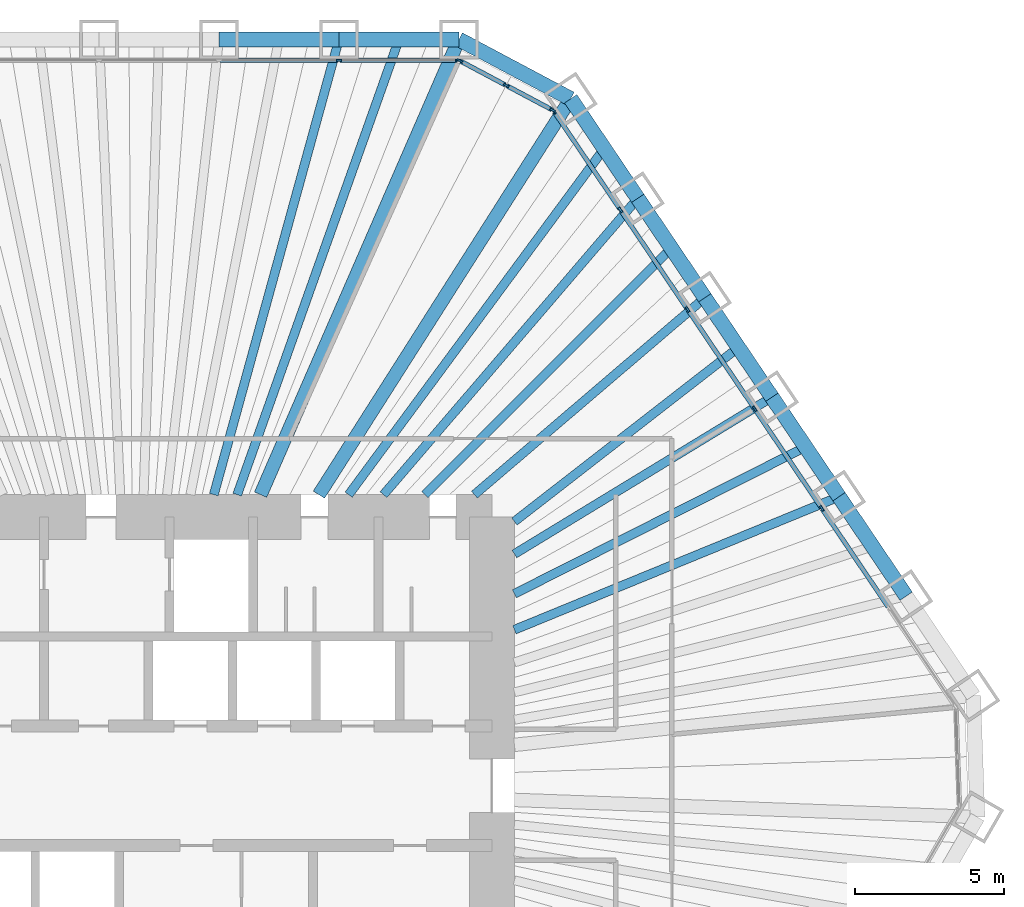
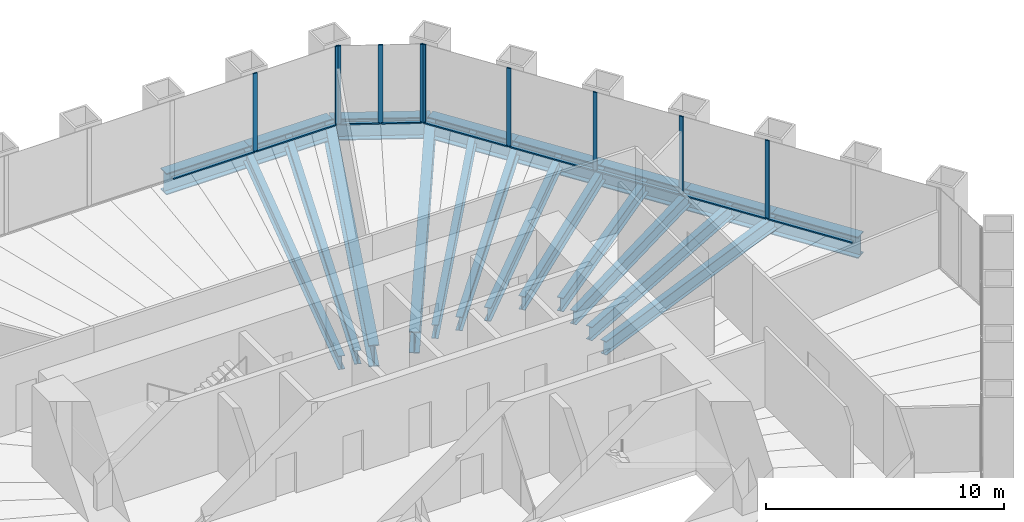
# One storey, part 7 of 13: 20 beams, 19 members, 3 elements without a shape of their own.
"""IFC4 building model written with IfcOpenShell, lengths in metres."""

import ifcopenshell
import ifcopenshell.guid

model = None  # the IFC model being written
_history = None  # IfcOwnerHistory: only IFC2X3 demands one
_inside = {}  # id of a spatial element -> (the spatial element, [elements in it])
_under = {}  # id of a project, library or spatial element -> (it, [spatial elements below it])
_declared = {}  # id of a project -> (the project, [libraries it declares])
_typed = {}  # id of a type object -> (the type object, [elements of that type])
_made_of = {}  # id of a material, layer set ... -> (it, [elements and type objects made of it])


def new_model(schema):
    """Start an empty IFC model of exactly this schema.

    Asked for "IFC4X3", IfcOpenShell would pick the latest addendum, in which some entities
    have other attributes; the version numbers below select the first issue.
    IFC2X3 requires an IfcOwnerHistory on every rooted entity: one is made here for all.
    """
    global model, _history
    if schema == "IFC4X3":
        model = ifcopenshell.file(schema_version=(4, 3, 0, 0))
    else:
        model = ifcopenshell.file(schema=schema)
    _inside.clear()
    _under.clear()
    _declared.clear()
    _typed.clear()
    _made_of.clear()
    _history = None
    if model.schema == "IFC2X3":
        org = make("IfcOrganization", Name="unknown")
        user = make(
            "IfcPersonAndOrganization",
            ThePerson=make("IfcPerson", FamilyName="unknown"),
            TheOrganization=org,
        )
        app = make(
            "IfcApplication",
            ApplicationDeveloper=org,
            Version="unknown",
            ApplicationFullName="unknown",
            ApplicationIdentifier="unknown",
        )
        _history = make(
            "IfcOwnerHistory",
            OwningUser=user,
            OwningApplication=app,
            ChangeAction="ADDED",
            CreationDate=0,
        )
    return model


def make(cls, **values):
    """One entity of the class cls with the attributes given. An attribute that is None is left unset."""
    return model.create_entity(
        cls, **{name: value for name, value in values.items() if value is not None}
    )


def rooted(cls, **values):
    """An entity with a GlobalId (a new one), such as an element, a storey or a relation."""
    return make(cls, GlobalId=ifcopenshell.guid.new(), OwnerHistory=_history, **values)


def si_unit(unit_type, name, prefix=None):
    """IfcSIUnit, for example si_unit("LENGTHUNIT", "METRE", prefix="MILLI")."""
    return make("IfcSIUnit", UnitType=unit_type, Prefix=prefix, Name=name)


def assignment(units):
    """IfcUnitAssignment: the units of a project."""
    return None if units is None else make("IfcUnitAssignment", Units=units)


def point(xyz):
    """IfcCartesianPoint."""
    return None if xyz is None else make("IfcCartesianPoint", Coordinates=xyz)


def direction(xyz):
    """IfcDirection."""
    return None if xyz is None else make("IfcDirection", DirectionRatios=xyz)


def frame(location, z_axis=None, x_axis=None):
    """IfcAxis2Placement3D, a coordinate frame: its origin and axes. An axis left out is left unset."""
    return make(
        "IfcAxis2Placement3D",
        Location=point(location),
        Axis=direction(z_axis),
        RefDirection=direction(x_axis),
    )


def frame_2d(location, x_axis=None):
    """IfcAxis2Placement2D, a coordinate frame in the plane: its origin and x axis."""
    return make(
        "IfcAxis2Placement2D", Location=point(location), RefDirection=direction(x_axis)
    )


def origin():
    """The frame at (0, 0, 0) with its axes left unset."""
    return frame((0.0, 0.0, 0.0))


def origin_2d():
    """The frame at (0, 0) in the plane with its x axis left unset."""
    return frame_2d((0.0, 0.0))


def place(relative_to, where):
    """IfcLocalPlacement: puts the frame where relative to a parent placement (None: the world)."""
    return make(
        "IfcLocalPlacement", PlacementRelTo=relative_to, RelativePlacement=where
    )


def context(
    kind, dimensions, precision=None, world=None, true_north=None, identifier=None
):
    """IfcGeometricRepresentationContext, for example the 3D "Model" context."""
    return make(
        "IfcGeometricRepresentationContext",
        ContextIdentifier=identifier,
        ContextType=kind,
        CoordinateSpaceDimension=dimensions,
        Precision=precision,
        WorldCoordinateSystem=world,
        TrueNorth=true_north,
    )


def subcontext(parent, identifier, kind, view, scale=None):
    """IfcGeometricRepresentationSubContext, for example "Body" below "Model"."""
    return make(
        "IfcGeometricRepresentationSubContext",
        ContextIdentifier=identifier,
        ContextType=kind,
        ParentContext=parent,
        TargetScale=scale,
        TargetView=view,
    )


def project(units=None, contexts=None):
    """IfcProject with its units and contexts."""
    return rooted(
        "IfcProject",
        Name="project",
        RepresentationContexts=contexts,
        UnitsInContext=assignment(units),
    )


def spatial(cls, under=None, at=None, **own):
    """A site, building, storey or space (cls), placed at a placement, below another one or the project."""
    s = rooted(cls, ObjectPlacement=at, **own)
    if under is not None:
        _under.setdefault(under.id(), (under, []))[1].append(s)
    return s


def profile(cls, at=None, kind="AREA", **sizes):
    """A parametric profile (cls). Its sizes go by their IFC names, for example OverallWidth=200.0."""
    return make(cls, ProfileType=kind, Position=at, **sizes)


def rectangle(**sizes):
    """IfcRectangleProfileDef."""
    return profile("IfcRectangleProfileDef", **sizes)


def i_section(**sizes):
    """IfcIShapeProfileDef."""
    return profile("IfcIShapeProfileDef", **sizes)


def extrude(swept, where, along, depth):
    """IfcExtrudedAreaSolid: the profile swept, set in the frame where, extruded along a direction by depth."""
    return make(
        "IfcExtrudedAreaSolid",
        SweptArea=swept,
        Position=where,
        ExtrudedDirection=direction(along),
        Depth=depth,
    )


def shape(context_of_items, identifier, shape_type, items):
    """IfcShapeRepresentation: the items that make up one representation, for example the "Body"."""
    return make(
        "IfcShapeRepresentation",
        ContextOfItems=context_of_items,
        RepresentationIdentifier=identifier,
        RepresentationType=shape_type,
        Items=items,
    )


def material(Name=None, Category=None):
    """IfcMaterial."""
    return make("IfcMaterial", Name=Name, Category=Category)


def material_profile(
    of_material, cross_section, Name=None, Category=None, Priority=None
):
    """IfcMaterialProfile: a cross section and its material."""
    return make(
        "IfcMaterialProfile",
        Name=Name,
        Material=of_material,
        Profile=cross_section,
        Priority=Priority,
        Category=Category,
    )


def profile_set(profiles, Name=None, composite=None):
    """IfcMaterialProfileSet."""
    return make(
        "IfcMaterialProfileSet",
        Name=Name,
        MaterialProfiles=profiles,
        CompositeProfile=composite,
    )


def made_of(thing, what):
    """Note that an element or type object is made of a material, layer set ...; save() writes the relation."""
    if what is not None:
        _made_of.setdefault(what.id(), (what, []))[1].append(thing)
    return thing


def type_object(cls, material=None, **own):
    """A type object (cls), such as IfcWallType, which elements share."""
    return made_of(rooted(cls, **own), material)


def element(
    cls,
    number,
    at=None,
    inside=None,
    cuts=None,
    type_object=None,
    material=None,
    context=None,
    identifier="Body",
    shape_type=None,
    held_by="IfcProductDefinitionShape",
    body=None,
    shapes=None,
    **own,
):
    """One element of the class cls, such as IfcWall. Its Tag is "e" and its number.

    at: its placement. inside: the storey or other place that contains it. cuts: it is an
    opening in that element (IfcRelVoidsElement). A single representation is given by context,
    identifier, shape_type and body (its items); several are given by shapes. held_by: the class
    of the entity that holds the representations. save() writes the other relations.
    """
    e = rooted(cls, Tag="e%d" % number, ObjectPlacement=at, **own)
    if body is not None:
        shapes = [shape(context, identifier, shape_type, body)]
    if shapes is not None:
        e.Representation = make(held_by, Representations=shapes)
    if inside is not None:
        _inside.setdefault(inside.id(), (inside, []))[1].append(e)
    if cuts is not None:
        rooted(
            "IfcRelVoidsElement", RelatingBuildingElement=cuts, RelatedOpeningElement=e
        )
    if type_object is not None:
        _typed.setdefault(type_object.id(), (type_object, []))[1].append(e)
    return made_of(e, material)


def aggregate(whole, parts):
    """IfcRelAggregates: a whole, such as a stair, and the parts it consists of."""
    return rooted("IfcRelAggregates", RelatingObject=whole, RelatedObjects=parts)


def save(model, path):
    """Write the relations noted so far, then the file.

    IfcRelAggregates (storeys below a building ...), IfcRelContainedInSpatialStructure (elements
    in a storey), IfcRelDefinesByType, IfcRelAssociatesMaterial and IfcRelDeclares: one each for
    every whole, place, type object, material and project.
    """
    for whole, parts in _under.values():
        aggregate(whole, parts)
    for where, things in _inside.values():
        rooted(
            "IfcRelContainedInSpatialStructure",
            RelatedElements=things,
            RelatingStructure=where,
        )
    for kind, things in _typed.values():
        rooted("IfcRelDefinesByType", RelatedObjects=things, RelatingType=kind)
    for what, things in _made_of.values():
        rooted("IfcRelAssociatesMaterial", RelatedObjects=things, RelatingMaterial=what)
    for by, libraries in _declared.values():
        rooted("IfcRelDeclares", RelatingContext=by, RelatedDefinitions=libraries)
    model.write(path)


model = new_model("IFC4")

# Units and contexts
model_context = context("Model", 3, precision=1e-05, world=origin(), true_north=direction((0.0, 1.0)))
body_context = subcontext(model_context, "Body", "Model", "MODEL_VIEW")
ifc_project = project(units=[si_unit("LENGTHUNIT", "METRE"), si_unit("AREAUNIT", "SQUARE_METRE"), si_unit("VOLUMEUNIT", "CUBIC_METRE"), si_unit("PLANEANGLEUNIT", "RADIAN"), si_unit("MASSUNIT", "GRAM", prefix="KILO")], contexts=[model_context])

# Site, building, storey
site_placement = place(None, origin())
site = spatial("IfcSite", under=ifc_project, at=site_placement, CompositionType="ELEMENT")
building_placement = place(site_placement, origin())
building = spatial("IfcBuilding", under=site, at=building_placement, Name="Qingtian Harvest Tower", CompositionType="ELEMENT")
storey_placement = place(building_placement, frame((0.0, 0.0, 119.800048828125)))
storey = spatial("IfcBuildingStorey", under=building, at=storey_placement, Name="L24", CompositionType="ELEMENT", Elevation=119.800048828125)

# Beams
ifc_material_1 = material(Name="Steel SM570MC", Category="steel")
ifc_material_profile_1 = material_profile(ifc_material_1, i_section(OverallWidth=0.449951171875, OverallDepth=1.10009765625, WebThickness=0.02197265625, FlangeThickness=0.044921875, at=origin_2d()), Name="H1100x450x22x45")
ifc_profile_set_1 = profile_set([ifc_material_profile_1], Name="Steel SM570MC")
beam_type_1 = type_object("IfcBeamType", Name="Corner floor beam FB8 H1100x450x22x45", PredefinedType="BEAM", material=ifc_profile_set_1)
beam_1_placement = place(storey_placement, frame((10.892822265625, 25.0, -0.719970703125), z_axis=(-0.399451016538, -0.916754539333, 0.0), x_axis=(0.916754539333, -0.399451016538, 0.0)))
element("IfcBeam", 1, at=beam_1_placement, inside=storey, type_object=beam_type_1, Name="Floor beam FB8 N6", PredefinedType="BEAM", context=body_context, shape_type="SweptSolid", body=[
    extrude(i_section(OverallWidth=0.449951171875, OverallDepth=1.10009765625, WebThickness=0.02197265625, FlangeThickness=0.044921875, at=origin_2d()), origin(), (0.0, 0.0, 1.0), 16.634765625),
])
beam_2_placement = place(storey_placement, frame((14.634765625, 23.01025390625, -0.719970703125), z_axis=(-0.536660352939, -0.843798355997, 0.0), x_axis=(0.843798355997, -0.536660352939, 0.0)))
element("IfcBeam", 2, at=beam_2_placement, inside=storey, type_object=beam_type_1, Name="Floor beam FB8 NE0", PredefinedType="BEAM", context=body_context, shape_type="SweptSolid", body=[
    extrude(i_section(OverallWidth=0.449951171875, OverallDepth=1.10009765625, WebThickness=0.02197265625, FlangeThickness=0.044921875, at=origin_2d()), origin(), (0.0, 0.0, 1.0), 15.71484375),
])
ifc_material_2 = material(Name="Steel SN490B", Category="steel")
ifc_material_profile_2 = material_profile(ifc_material_2, i_section(OverallWidth=0.300048828125, OverallDepth=0.699951171875, WebThickness=0.012939453125, FlangeThickness=0.02392578125, at=origin_2d()), Name="H700x300x13x24")
ifc_profile_set_2 = profile_set([ifc_material_profile_2], Name="Steel SN490B")
beam_type_2 = type_object("IfcBeamType", Name="Floor beam FB2 H700x300x13x24", PredefinedType="BEAM", material=ifc_profile_set_2)
beam_3_placement = place(storey_placement, frame((6.873779296875, 25.0, -0.52001953125), z_axis=(-0.265119170108, -0.964215653078, 0.0), x_axis=(0.964215653078, -0.265119170108, 0.0)))
element("IfcBeam", 3, at=beam_3_placement, inside=storey, type_object=beam_type_2, Name="Floor beam FB2 N5", PredefinedType="BEAM", context=body_context, shape_type="SweptSolid", body=[
    extrude(i_section(OverallWidth=0.300048828125, OverallDepth=0.699951171875, WebThickness=0.012939453125, FlangeThickness=0.02392578125, at=origin_2d()), origin(), (0.0, 0.0, 1.0), 15.81591796875),
])
beam_4_placement = place(storey_placement, frame((16.88232421875, 19.67822265625, -0.52001953125), z_axis=(-0.651140196702, -0.758957471957, 0.0), x_axis=(0.758957471957, -0.651140196702, 0.0)))
element("IfcBeam", 4, at=beam_4_placement, inside=storey, type_object=beam_type_2, Name="Floor beam FB2 NE1", PredefinedType="BEAM", context=body_context, shape_type="SweptSolid", body=[
    extrude(i_section(OverallWidth=0.300048828125, OverallDepth=0.699951171875, WebThickness=0.012939453125, FlangeThickness=0.02392578125, at=origin_2d()), origin(), (0.0, 0.0, 1.0), 13.081298828125),
])
beam_5_placement = place(storey_placement, frame((19.129638671875, 16.346435546875, -0.52001953125), z_axis=(-0.760241810635, -0.649640199928, 0.0), x_axis=(0.649640199928, -0.760241810635, 0.0)))
element("IfcBeam", 5, at=beam_5_placement, inside=storey, type_object=beam_type_2, Name="Floor beam FB2 NE2", PredefinedType="BEAM", context=body_context, shape_type="SweptSolid", body=[
    extrude(i_section(OverallWidth=0.300048828125, OverallDepth=0.699951171875, WebThickness=0.012939453125, FlangeThickness=0.02392578125, at=origin_2d()), origin(), (0.0, 0.0, 1.0), 10.154052734375),
])
beam_6_placement = place(storey_placement, frame((21.377197265625, 13.014404296875, -0.52001953125), z_axis=(-0.854160745245, -0.520009058846, 0.0), x_axis=(0.520009058846, -0.854160745245, 0.0)))
element("IfcBeam", 6, at=beam_6_placement, inside=storey, type_object=beam_type_2, Name="Floor beam FB2 NE3", PredefinedType="BEAM", context=body_context, shape_type="SweptSolid", body=[
    extrude(i_section(OverallWidth=0.300048828125, OverallDepth=0.699951171875, WebThickness=0.012939453125, FlangeThickness=0.02392578125, at=origin_2d()), origin(), (0.0, 0.0, 1.0), 10.10009765625),
])
beam_7_placement = place(storey_placement, frame((23.62451171875, 9.682373046875, -0.52001953125), z_axis=(-0.925304541163, -0.379224875375, 0.0), x_axis=(0.379224875375, -0.925304541163, 0.0)))
element("IfcBeam", 7, at=beam_7_placement, inside=storey, type_object=beam_type_2, Name="Floor beam FB2 NE4", PredefinedType="BEAM", context=body_context, shape_type="SweptSolid", body=[
    extrude(i_section(OverallWidth=0.300048828125, OverallDepth=0.699951171875, WebThickness=0.012939453125, FlangeThickness=0.02392578125, at=origin_2d()), origin(), (0.0, 0.0, 1.0), 11.75244140625),
])
ifc_material_3 = material(Name="Steel SN490B", Category="steel")
ifc_material_profile_3 = material_profile(ifc_material_3, i_section(OverallWidth=0.300048828125, OverallDepth=0.699951171875, WebThickness=0.012939453125, FlangeThickness=0.02392578125, at=origin_2d()), Name="H700x300x13x24")
ifc_profile_set_3 = profile_set([ifc_material_profile_3], Name="Steel SN490B")
beam_type_3 = type_object("IfcBeamType", Name="Floor joist J2 H700x300x13x24", PredefinedType="JOIST", material=ifc_profile_set_3)
beam_8_placement = place(storey_placement, frame((8.88330078125, 25.0, -0.52001953125), z_axis=(-0.334829909573, -0.94227858495, 0.0), x_axis=(0.94227858495, -0.334829909573, 0.0)))
element("IfcBeam", 8, at=beam_8_placement, inside=storey, type_object=beam_type_3, Name="Floor joist J2 N5", PredefinedType="JOIST", context=body_context, shape_type="SweptSolid", body=[
    extrude(i_section(OverallWidth=0.300048828125, OverallDepth=0.699951171875, WebThickness=0.012939453125, FlangeThickness=0.02392578125, at=origin_2d()), origin(), (0.0, 0.0, 1.0), 16.18408203125),
])
beam_9_placement = place(storey_placement, frame((15.758544921875, 21.34423828125, -0.52001953125), z_axis=(-0.593960386058, -0.804494288229, 0.0), x_axis=(0.804494288229, -0.593960386058, 0.0)))
element("IfcBeam", 9, at=beam_9_placement, inside=storey, type_object=beam_type_3, Name="Floor joist J2 NE0", PredefinedType="JOIST", context=body_context, shape_type="SweptSolid", body=[
    extrude(i_section(OverallWidth=0.300048828125, OverallDepth=0.699951171875, WebThickness=0.012939453125, FlangeThickness=0.02392578125, at=origin_2d()), origin(), (0.0, 0.0, 1.0), 14.411865234375),
])
beam_10_placement = place(storey_placement, frame((18.005859375, 18.012451171875, -0.52001953125), z_axis=(-0.706970932755, -0.707242603524, 0.0), x_axis=(0.707242603524, -0.706970932755, 0.0)))
element("IfcBeam", 10, at=beam_10_placement, inside=storey, type_object=beam_type_3, Name="Floor joist J2 NE1", PredefinedType="JOIST", context=body_context, shape_type="SweptSolid", body=[
    extrude(i_section(OverallWidth=0.300048828125, OverallDepth=0.699951171875, WebThickness=0.012939453125, FlangeThickness=0.02392578125, at=origin_2d()), origin(), (0.0, 0.0, 1.0), 11.6826171875),
])
beam_11_placement = place(storey_placement, frame((20.25341796875, 14.680419921875, -0.52001953125), z_axis=(-0.789641272199, -0.61356879096, 0.0), x_axis=(0.61356879096, -0.789641272199, 0.0)))
element("IfcBeam", 11, at=beam_11_placement, inside=storey, type_object=beam_type_3, Name="Floor joist J2 NE2", PredefinedType="JOIST", context=body_context, shape_type="SweptSolid", body=[
    extrude(i_section(OverallWidth=0.300048828125, OverallDepth=0.699951171875, WebThickness=0.012939453125, FlangeThickness=0.02392578125, at=origin_2d()), origin(), (0.0, 0.0, 1.0), 9.502197265625),
])
beam_12_placement = place(storey_placement, frame((22.500732421875, 11.348388671875, -0.52001953125), z_axis=(-0.892861323685, -0.450331718478, 0.0), x_axis=(0.450331718478, -0.892861323685, 0.0)))
element("IfcBeam", 12, at=beam_12_placement, inside=storey, type_object=beam_type_3, Name="Floor joist J2 NE3", PredefinedType="JOIST", context=body_context, shape_type="SweptSolid", body=[
    extrude(i_section(OverallWidth=0.300048828125, OverallDepth=0.699951171875, WebThickness=0.012939453125, FlangeThickness=0.02392578125, at=origin_2d()), origin(), (0.0, 0.0, 1.0), 10.920654296875),
])

# Curtain wall, members
ifc_material_4 = material(Name="Bronze-anodised aluminium curtain wall", Category="aluminium")
curtain_wall_type = type_object("IfcCurtainWallType", Name="Curtain wall CW4 office", PredefinedType="USERDEFINED", material=ifc_material_4)
curtain_wall_1_placement = place(storey_placement, origin())
curtain_wall_1 = element("IfcCurtainWall", 13, at=curtain_wall_1_placement, inside=storey, type_object=curtain_wall_type, Name="Curtain wall CW4 L24 N0-5", ObjectType="RECESSED CURTAIN WALL", PredefinedType="USERDEFINED")
ifc_material_5 = material(Name="Bronze-anodised aluminium mullion", Category="aluminium")
ifc_material_profile_4 = material_profile(ifc_material_5, rectangle(XDim=0.06494140625, YDim=0.199951171875, at=origin_2d()), Name="AL 65x200")
ifc_profile_set_4 = profile_set([ifc_material_profile_4], Name="Bronze-anodised aluminium mullion")
member_type_1 = type_object("IfcMemberType", Name="Mullion CWM 65x200", PredefinedType="MULLION", material=ifc_profile_set_4)
member_1_placement = place(storey_placement, frame((6.873779296875, 24.300048828125, 0.0), z_axis=(0.0, 0.0, 1.0), x_axis=(0.0, 1.0, 0.0)))
member_1 = element("IfcMember", 14, at=member_1_placement, type_object=member_type_1, Name="CW4 mullion 6", PredefinedType="MULLION", context=body_context, shape_type="SweptSolid", body=[
    extrude(rectangle(XDim=0.06494140625, YDim=0.199951171875, at=origin_2d()), origin(), (0.0, 0.0, 1.0), 4.030029296875),
])
member_2_placement = place(storey_placement, frame((10.8603515625, 24.300048828125, 0.0), z_axis=(0.0, 0.0, 1.0), x_axis=(0.0, 1.0, 0.0)))
member_2 = element("IfcMember", 15, at=member_2_placement, type_object=member_type_1, Name="CW4 mullion 7", PredefinedType="MULLION", context=body_context, shape_type="SweptSolid", body=[
    extrude(rectangle(XDim=0.06494140625, YDim=0.199951171875, at=origin_2d()), origin(), (0.0, 0.0, 1.0), 4.030029296875),
])

curtain_wall_2_placement = place(storey_placement, origin())
curtain_wall_2 = element("IfcCurtainWall", 16, at=curtain_wall_2_placement, inside=storey, type_object=curtain_wall_type, Name="Curtain wall CW4 L24 NC", ObjectType="RECESSED CURTAIN WALL", PredefinedType="USERDEFINED")
member_3_placement = place(storey_placement, frame((10.92138671875, 24.28466796875, 0.0), z_axis=(0.0, 0.0, 1.0), x_axis=(0.469471562786, 0.882947592859, 0.0)))
member_3 = element("IfcMember", 17, at=member_3_placement, type_object=member_type_1, Name="CW4 mullion 1", PredefinedType="MULLION", context=body_context, shape_type="SweptSolid", body=[
    extrude(rectangle(XDim=0.06494140625, YDim=0.199951171875, at=origin_2d()), origin(), (0.0, 0.0, 1.0), 4.030029296875),
])
member_4_placement = place(storey_placement, frame((12.4736328125, 23.45947265625, 0.0), z_axis=(0.0, 0.0, 1.0), x_axis=(0.469471562786, 0.882947592859, 0.0)))
member_4 = element("IfcMember", 18, at=member_4_placement, type_object=member_type_1, Name="CW4 mullion 2", PredefinedType="MULLION", context=body_context, shape_type="SweptSolid", body=[
    extrude(rectangle(XDim=0.06494140625, YDim=0.199951171875, at=origin_2d()), origin(), (0.0, 0.0, 1.0), 4.030029296875),
])
member_5_placement = place(storey_placement, frame((14.02587890625, 22.634033203125, 0.0), z_axis=(0.0, 0.0, 1.0), x_axis=(0.469471562786, 0.882947592859, 0.0)))
member_5 = element("IfcMember", 19, at=member_5_placement, type_object=member_type_1, Name="CW4 mullion 3", PredefinedType="MULLION", context=body_context, shape_type="SweptSolid", body=[
    extrude(rectangle(XDim=0.06494140625, YDim=0.199951171875, at=origin_2d()), origin(), (0.0, 0.0, 1.0), 4.030029296875),
])

curtain_wall_3_placement = place(storey_placement, origin())
curtain_wall_3 = element("IfcCurtainWall", 20, at=curtain_wall_3_placement, inside=storey, type_object=curtain_wall_type, Name="Curtain wall CW4 L24 NE0-5", ObjectType="RECESSED CURTAIN WALL", PredefinedType="USERDEFINED")
member_6_placement = place(storey_placement, frame((14.07275390625, 22.592041015625, 0.0), z_axis=(0.0, 0.0, 1.0), x_axis=(0.829037572555, 0.559192903471, 0.0)))
member_6 = element("IfcMember", 21, at=member_6_placement, type_object=member_type_1, Name="CW4 mullion 1", PredefinedType="MULLION", context=body_context, shape_type="SweptSolid", body=[
    extrude(rectangle(XDim=0.06494140625, YDim=0.199951171875, at=origin_2d()), origin(), (0.0, 0.0, 1.0), 4.030029296875),
])
member_7_placement = place(storey_placement, frame((16.302001953125, 19.286865234375, 0.0), z_axis=(0.0, 0.0, 1.0), x_axis=(0.829037572555, 0.559192903471, 0.0)))
member_7 = element("IfcMember", 22, at=member_7_placement, type_object=member_type_1, Name="CW4 mullion 2", PredefinedType="MULLION", context=body_context, shape_type="SweptSolid", body=[
    extrude(rectangle(XDim=0.06494140625, YDim=0.199951171875, at=origin_2d()), origin(), (0.0, 0.0, 1.0), 4.030029296875),
])
member_8_placement = place(storey_placement, frame((18.54931640625, 15.954833984375, 0.0), z_axis=(0.0, 0.0, 1.0), x_axis=(0.829037572555, 0.559192903471, 0.0)))
member_8 = element("IfcMember", 23, at=member_8_placement, type_object=member_type_1, Name="CW4 mullion 3", PredefinedType="MULLION", context=body_context, shape_type="SweptSolid", body=[
    extrude(rectangle(XDim=0.06494140625, YDim=0.199951171875, at=origin_2d()), origin(), (0.0, 0.0, 1.0), 4.030029296875),
])
member_9_placement = place(storey_placement, frame((20.796875, 12.623046875, 0.0), z_axis=(0.0, 0.0, 1.0), x_axis=(0.829037572555, 0.559192903471, 0.0)))
member_9 = element("IfcMember", 24, at=member_9_placement, type_object=member_type_1, Name="CW4 mullion 4", PredefinedType="MULLION", context=body_context, shape_type="SweptSolid", body=[
    extrude(rectangle(XDim=0.06494140625, YDim=0.199951171875, at=origin_2d()), origin(), (0.0, 0.0, 1.0), 4.030029296875),
])
member_10_placement = place(storey_placement, frame((23.044189453125, 9.291015625, 0.0), z_axis=(0.0, 0.0, 1.0), x_axis=(0.829037572555, 0.559192903471, 0.0)))
member_10 = element("IfcMember", 25, at=member_10_placement, type_object=member_type_1, Name="CW4 mullion 5", PredefinedType="MULLION", context=body_context, shape_type="SweptSolid", body=[
    extrude(rectangle(XDim=0.06494140625, YDim=0.199951171875, at=origin_2d()), origin(), (0.0, 0.0, 1.0), 4.030029296875),
])

# Beams
ifc_material_6 = material(Name="Steel SM570MC", Category="steel")
ifc_material_profile_5 = material_profile(ifc_material_6, i_section(OverallWidth=0.5, OverallDepth=1.10009765625, WebThickness=0.02490234375, FlangeThickness=0.050048828125, at=origin_2d()), Name="H1100x500x25x50")
ifc_profile_set_5 = profile_set([ifc_material_profile_5], Name="Steel SM570MC")
beam_type_4 = type_object("IfcBeamType", Name="Spandrel beam SB2 H1100x500x25x50", PredefinedType="SPANDREL", material=ifc_profile_set_5)
beam_13_placement = place(storey_placement, frame((2.8544921875, 25.0, -0.550048828125), z_axis=(1.0, 0.0, 0.0), x_axis=(0.0, 1.0, 0.0)))
element("IfcBeam", 26, at=beam_13_placement, inside=storey, type_object=beam_type_4, Name="Spandrel SB2 N4", PredefinedType="SPANDREL", context=body_context, shape_type="SweptSolid", body=[
    extrude(i_section(OverallWidth=0.5, OverallDepth=1.10009765625, WebThickness=0.02490234375, FlangeThickness=0.050048828125, at=origin_2d()), origin(), (0.0, 0.0, 1.0), 4.019287109375),
])
beam_14_placement = place(storey_placement, frame((6.873779296875, 25.0, -0.550048828125), z_axis=(1.0, 0.0, 0.0), x_axis=(0.0, 1.0, 0.0)))
element("IfcBeam", 27, at=beam_14_placement, inside=storey, type_object=beam_type_4, Name="Spandrel SB2 N5", PredefinedType="SPANDREL", context=body_context, shape_type="SweptSolid", body=[
    extrude(i_section(OverallWidth=0.5, OverallDepth=1.10009765625, WebThickness=0.02490234375, FlangeThickness=0.050048828125, at=origin_2d()), origin(), (0.0, 0.0, 1.0), 4.01904296875),
])
beam_15_placement = place(storey_placement, frame((10.892822265625, 25.0, -0.550048828125), z_axis=(0.882935902835, -0.469493547863, 0.0), x_axis=(0.469493547863, 0.882935902835, 0.0)))
element("IfcBeam", 28, at=beam_15_placement, inside=storey, type_object=beam_type_4, Name="Spandrel SB2 NC", PredefinedType="SPANDREL", context=body_context, shape_type="SweptSolid", body=[
    extrude(i_section(OverallWidth=0.5, OverallDepth=1.10009765625, WebThickness=0.02490234375, FlangeThickness=0.050048828125, at=origin_2d()), origin(), (0.0, 0.0, 1.0), 4.238037109375),
])
beam_16_placement = place(storey_placement, frame((14.634765625, 23.01025390625, -0.550048828125), z_axis=(0.559205752254, -0.829028905796, 0.0), x_axis=(0.829028905796, 0.559205752254, 0.0)))
element("IfcBeam", 29, at=beam_16_placement, inside=storey, type_object=beam_type_4, Name="Spandrel SB2 NE0", PredefinedType="SPANDREL", context=body_context, shape_type="SweptSolid", body=[
    extrude(i_section(OverallWidth=0.5, OverallDepth=1.10009765625, WebThickness=0.02490234375, FlangeThickness=0.050048828125, at=origin_2d()), origin(), (0.0, 0.0, 1.0), 4.019287109375),
])
beam_17_placement = place(storey_placement, frame((16.88232421875, 19.67822265625, -0.550048828125), z_axis=(0.55919216322, -0.82903807186, 0.0), x_axis=(0.82903807186, 0.55919216322, 0.0)))
element("IfcBeam", 30, at=beam_17_placement, inside=storey, type_object=beam_type_4, Name="Spandrel SB2 NE1", PredefinedType="SPANDREL", context=body_context, shape_type="SweptSolid", body=[
    extrude(i_section(OverallWidth=0.5, OverallDepth=1.10009765625, WebThickness=0.02490234375, FlangeThickness=0.050048828125, at=origin_2d()), origin(), (0.0, 0.0, 1.0), 4.018798828125),
])
beam_18_placement = place(storey_placement, frame((19.129638671875, 16.346435546875, -0.550048828125), z_axis=(0.559205752254, -0.829028905796, 0.0), x_axis=(0.829028905796, 0.559205752254, 0.0)))
element("IfcBeam", 31, at=beam_18_placement, inside=storey, type_object=beam_type_4, Name="Spandrel SB2 NE2", PredefinedType="SPANDREL", context=body_context, shape_type="SweptSolid", body=[
    extrude(i_section(OverallWidth=0.5, OverallDepth=1.10009765625, WebThickness=0.02490234375, FlangeThickness=0.050048828125, at=origin_2d()), origin(), (0.0, 0.0, 1.0), 4.019287109375),
])
for number, where, z_axis, x_axis, name in (
    (32, (21.377197265625, 13.014404296875, -0.550048828125), (0.55916400171, -0.829057066306, 0.0), (0.829057066306, 0.55916400171, 0.0), "Spandrel SB2 NE3"),
    (33, (23.62451171875, 9.682373046875, -0.550048828125), (0.559233913953, -0.829009909159, 0.0), (0.829009909159, 0.559233913953, 0.0), "Spandrel SB2 NE4"),
):
    element("IfcBeam", number, at=place(storey_placement, frame(where, z_axis=z_axis, x_axis=x_axis)), inside=storey, type_object=beam_type_4, Name=name, PredefinedType="SPANDREL", context=body_context, shape_type="SweptSolid", body=[
        extrude(i_section(OverallWidth=0.5, OverallDepth=1.10009765625, WebThickness=0.02490234375, FlangeThickness=0.050048828125, at=origin_2d()), origin(), (0.0, 0.0, 1.0), 4.01904296875),
    ])

# Member
ifc_material_7 = material(Name="Bronze-anodised aluminium transom", Category="aluminium")
ifc_material_profile_6 = material_profile(ifc_material_7, rectangle(XDim=0.14990234375, YDim=0.06494140625, at=origin_2d()), Name="AL 65x150")
ifc_profile_set_6 = profile_set([ifc_material_profile_6], Name="Bronze-anodised aluminium transom")
member_type_2 = type_object("IfcMemberType", Name="Transom CWT 65x150", PredefinedType="USERDEFINED", material=ifc_profile_set_6)
member_11_placement = place(storey_placement, frame((2.886962890625, 24.300048828125, 0.032470703125), z_axis=(1.0, 0.0, 0.0), x_axis=(0.0, 1.0, 0.0)))
member_11 = element("IfcMember", 34, at=member_11_placement, type_object=member_type_2, Name="CW4 transom 5.1", ObjectType="TRANSOM", PredefinedType="USERDEFINED", context=body_context, shape_type="SweptSolid", body=[
    extrude(rectangle(XDim=0.14990234375, YDim=0.06494140625, at=origin_2d()), origin(), (0.0, 0.0, 1.0), 3.9541015625),
])

member_12_placement = place(storey_placement, frame((6.90625, 24.300048828125, 0.032470703125), z_axis=(1.0, 0.0, 0.0), x_axis=(0.0, 1.0, 0.0)))
member_12 = element("IfcMember", 35, at=member_12_placement, type_object=member_type_2, Name="CW4 transom 6.1", ObjectType="TRANSOM", PredefinedType="USERDEFINED", context=body_context, shape_type="SweptSolid", body=[
    extrude(rectangle(XDim=0.14990234375, YDim=0.06494140625, at=origin_2d()), origin(), (0.0, 0.0, 1.0), 3.92138671875),
])

aggregate(curtain_wall_1, [member_1, member_2, member_11, member_12])

member_13_placement = place(storey_placement, frame((10.9501953125, 24.26953125, 0.032470703125), z_axis=(0.882895287784, -0.469569921108, 0.0), x_axis=(0.469569921108, 0.882895287784, 0.0)))
member_13 = element("IfcMember", 36, at=member_13_placement, type_object=member_type_2, Name="CW4 transom 1.1", ObjectType="TRANSOM", PredefinedType="USERDEFINED", context=body_context, shape_type="SweptSolid", body=[
    extrude(rectangle(XDim=0.14990234375, YDim=0.06494140625, at=origin_2d()), origin(), (0.0, 0.0, 1.0), 1.69287109375),
])

member_14_placement = place(storey_placement, frame((12.502197265625, 23.444091796875, 0.032470703125), z_axis=(0.882986854304, -0.469397715297, 0.0), x_axis=(0.469397715297, 0.882986854304, 0.0)))
member_14 = element("IfcMember", 37, at=member_14_placement, type_object=member_type_2, Name="CW4 transom 2.1", ObjectType="TRANSOM", PredefinedType="USERDEFINED", context=body_context, shape_type="SweptSolid", body=[
    extrude(rectangle(XDim=0.14990234375, YDim=0.06494140625, at=origin_2d()), origin(), (0.0, 0.0, 1.0), 1.69287109375),
])

aggregate(curtain_wall_2, [member_3, member_4, member_5, member_13, member_14])

member_15_placement = place(storey_placement, frame((14.0908203125, 22.56494140625, 0.032470703125), z_axis=(0.55920336949, -0.82903051304, 0.0), x_axis=(0.82903051304, 0.55920336949, 0.0)))
member_15 = element("IfcMember", 38, at=member_15_placement, type_object=member_type_2, Name="CW4 transom 1.1", ObjectType="TRANSOM", PredefinedType="USERDEFINED", context=body_context, shape_type="SweptSolid", body=[
    extrude(rectangle(XDim=0.14990234375, YDim=0.06494140625, at=origin_2d()), origin(), (0.0, 0.0, 1.0), 3.92138671875),
])

member_16_placement = place(storey_placement, frame((16.320068359375, 19.260009765625, 0.032470703125), z_axis=(0.55920878069, -0.829026863014, 0.0), x_axis=(0.829026863014, 0.55920878069, 0.0)))
member_16 = element("IfcMember", 39, at=member_16_placement, type_object=member_type_2, Name="CW4 transom 2.1", ObjectType="TRANSOM", PredefinedType="USERDEFINED", context=body_context, shape_type="SweptSolid", body=[
    extrude(rectangle(XDim=0.14990234375, YDim=0.06494140625, at=origin_2d()), origin(), (0.0, 0.0, 1.0), 3.9541015625),
])

member_17_placement = place(storey_placement, frame((18.567626953125, 15.927978515625, 0.032470703125), z_axis=(0.559166343236, -0.82905548704, 0.0), x_axis=(0.82905548704, 0.559166343236, 0.0)))
member_17 = element("IfcMember", 40, at=member_17_placement, type_object=member_type_2, Name="CW4 transom 3.1", ObjectType="TRANSOM", PredefinedType="USERDEFINED", context=body_context, shape_type="SweptSolid", body=[
    extrude(rectangle(XDim=0.14990234375, YDim=0.06494140625, at=origin_2d()), origin(), (0.0, 0.0, 1.0), 3.9541015625),
])

member_18_placement = place(storey_placement, frame((20.81494140625, 12.595947265625, 0.032470703125), z_axis=(0.55920878069, -0.829026863014, 0.0), x_axis=(0.829026863014, 0.55920878069, 0.0)))
member_18 = element("IfcMember", 41, at=member_18_placement, type_object=member_type_2, Name="CW4 transom 4.1", ObjectType="TRANSOM", PredefinedType="USERDEFINED", context=body_context, shape_type="SweptSolid", body=[
    extrude(rectangle(XDim=0.14990234375, YDim=0.06494140625, at=origin_2d()), origin(), (0.0, 0.0, 1.0), 3.9541015625),
])

member_19_placement = place(storey_placement, frame((23.0625, 9.26416015625, 0.032470703125), z_axis=(0.559166343236, -0.82905548704, 0.0), x_axis=(0.82905548704, 0.559166343236, 0.0)))
member_19 = element("IfcMember", 42, at=member_19_placement, type_object=member_type_2, Name="CW4 transom 5.1", ObjectType="TRANSOM", PredefinedType="USERDEFINED", context=body_context, shape_type="SweptSolid", body=[
    extrude(rectangle(XDim=0.14990234375, YDim=0.06494140625, at=origin_2d()), origin(), (0.0, 0.0, 1.0), 3.9541015625),
])

aggregate(curtain_wall_3, [member_6, member_7, member_8, member_9, member_10, member_15, member_16, member_17, member_18, member_19])

save(model, "model.ifc")
